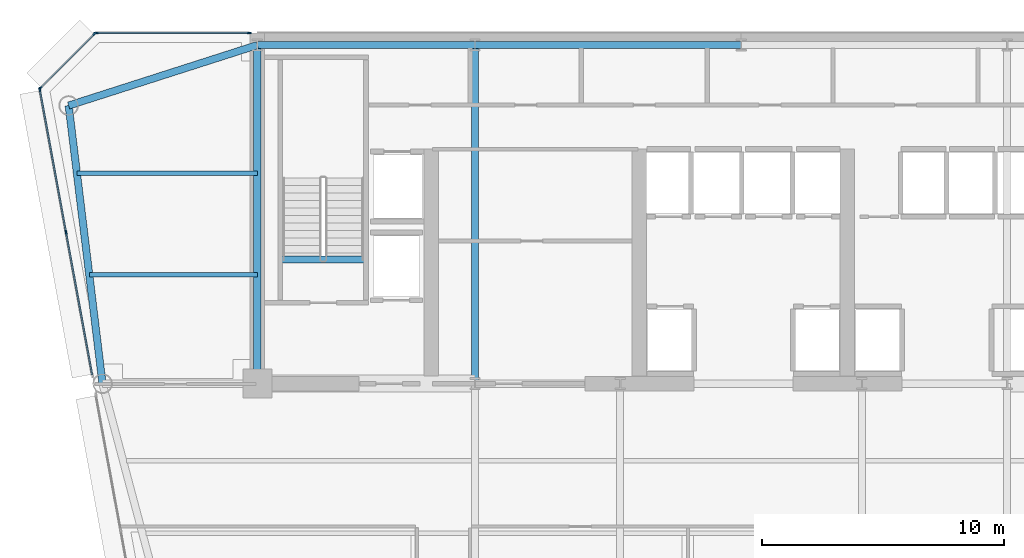
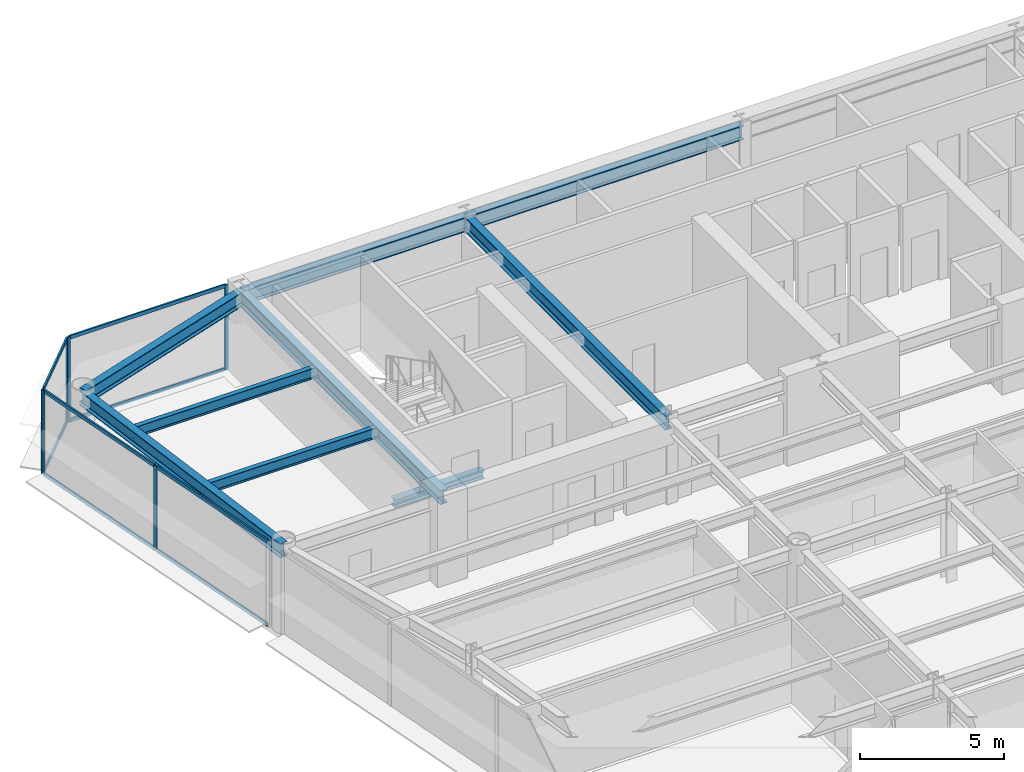
# One storey, part 7 of 16: 14 members, 9 beams, 3 elements without a shape of their own.
"""IFC4 building model written with IfcOpenShell, lengths in metres."""

from ifc_helpers import new_model, si_unit, direction, frame, origin, origin_2d, place, context, subcontext, project, spatial, rectangle, i_section, extrude, source, transform, mapped, material, layer, layer_set, material_profile, profile_set, type_object, element, aggregate, save


model = new_model("IFC4")

# Units and contexts
model_context = context("Model", 3, precision=1e-05, world=origin(), true_north=direction((0.0, 1.0)))
body_context = subcontext(model_context, "Body", "Model", "MODEL_VIEW")
ifc_project = project(units=[si_unit("LENGTHUNIT", "METRE"), si_unit("AREAUNIT", "SQUARE_METRE"), si_unit("VOLUMEUNIT", "CUBIC_METRE"), si_unit("PLANEANGLEUNIT", "RADIAN"), si_unit("MASSUNIT", "GRAM", prefix="KILO")], contexts=[model_context])

# Site, building, storey
site_placement = place(None, origin())
site = spatial("IfcSite", under=ifc_project, at=site_placement, CompositionType="ELEMENT")
building_placement = place(site_placement, origin())
building = spatial("IfcBuilding", under=site, at=building_placement, Name="Vaeldorn Concourse Tower", CompositionType="ELEMENT")
storey_placement = place(building_placement, frame((0.0, 0.0, 188.0)))
storey = spatial("IfcBuildingStorey", under=building, at=storey_placement, Name="L48", CompositionType="ELEMENT", Elevation=188.0)

# Beams
ifc_material_1 = material(Name="Steel S355", Category="steel")
ifc_material_profile_1 = material_profile(ifc_material_1, i_section(OverallWidth=0.300048828125, OverallDepth=0.340087890625, WebThickness=0.011962890625, FlangeThickness=0.021484375, FilletRadius=0.027099609375, at=origin_2d()), Name="HEB 340")
ifc_profile_set_1 = profile_set([ifc_material_profile_1], Name="Steel S355")
beam_type_1 = type_object("IfcBeamType", Name="BM-ST-TRIM", PredefinedType="BEAM", material=ifc_profile_set_1)
shared_shape_1 = source(origin(), body_context, "Body", "SweptSolid", [
    extrude(i_section(OverallWidth=0.300048828125, OverallDepth=0.340087890625, WebThickness=0.011962890625, FlangeThickness=0.021484375, FilletRadius=0.027099609375, at=origin_2d()), origin(), (0.0, 0.0, 1.0), 3.590087890625),
])
beam_1_placement = place(storey_placement, frame((14.929931640625, 41.639892578125, -0.389892578125), z_axis=(1.0, 0.0, 0.0), x_axis=(0.0, 1.0, 0.0)))
element("IfcBeam", 1, at=beam_1_placement, inside=storey, type_object=beam_type_1, Name="Stair Landing Trimmer Beam ST-1 L48", PredefinedType="BEAM", context=body_context, shape_type="MappedRepresentation", body=[
    mapped(shared_shape_1, transform((0.0, 0.0, 0.0), scale=1.0)),
])
ifc_material_profile_2 = material_profile(ifc_material_1, i_section(OverallWidth=0.18994140625, OverallDepth=0.449951171875, WebThickness=0.009521484375, FlangeThickness=0.0146484375, FilletRadius=0.02099609375, at=origin_2d()), Name="IPE 450")
ifc_profile_set_2 = profile_set([ifc_material_profile_2], Name="Steel S355")
beam_type_2 = type_object("IfcBeamType", Name="BM-JS-IPE450", PredefinedType="JOIST", material=ifc_profile_set_2)
shared_shape_2 = source(origin(), body_context, "Body", "SweptSolid", [
    extrude(i_section(OverallWidth=0.18994140625, OverallDepth=0.449951171875, WebThickness=0.009521484375, FlangeThickness=0.0146484375, FilletRadius=0.02099609375, at=origin_2d()), origin(), (0.0, 0.0, 1.0), 6.94775390625),
])
beam_2_placement = place(storey_placement, frame((7.05224609375, 41.0, 3.35498046875), z_axis=(1.0, 0.0, 0.0), x_axis=(0.0, 1.0, 0.0)))
element("IfcBeam", 2, at=beam_2_placement, inside=storey, type_object=beam_type_2, Name="Beam JS-L48-NW-410", PredefinedType="JOIST", context=body_context, shape_type="MappedRepresentation", body=[
    mapped(shared_shape_2, transform((0.0, 0.0, 0.0), scale=1.0)),
])
shared_shape_3 = source(origin(), body_context, "Body", "SweptSolid", [
    extrude(i_section(OverallWidth=0.18994140625, OverallDepth=0.449951171875, WebThickness=0.009521484375, FlangeThickness=0.0146484375, FilletRadius=0.02099609375, at=origin_2d()), origin(), (0.0, 0.0, 1.0), 7.458984375),
])
beam_3_placement = place(storey_placement, frame((6.541015625, 45.199951171875, 3.35498046875), z_axis=(1.0, 0.0, 0.0), x_axis=(0.0, 1.0, 0.0)))
element("IfcBeam", 3, at=beam_3_placement, inside=storey, type_object=beam_type_2, Name="Beam JS-L48-NW-452", PredefinedType="JOIST", context=body_context, shape_type="MappedRepresentation", body=[
    mapped(shared_shape_3, transform((0.0, 0.0, 0.0), scale=1.0)),
])
ifc_material_profile_3 = material_profile(ifc_material_1, i_section(OverallWidth=0.300048828125, OverallDepth=0.60009765625, WebThickness=0.015380859375, FlangeThickness=0.030029296875, FilletRadius=0.027099609375, at=origin_2d()), Name="HEB 600")
ifc_profile_set_3 = profile_set([ifc_material_profile_3], Name="Steel S355")
beam_type_3 = type_object("IfcBeamType", Name="BM-PG-HEB600", PredefinedType="BEAM", material=ifc_profile_set_3)
shared_shape_4 = source(origin(), body_context, "Body", "SweptSolid", [
    extrude(i_section(OverallWidth=0.300048828125, OverallDepth=0.60009765625, WebThickness=0.015380859375, FlangeThickness=0.030029296875, FilletRadius=0.027099609375, at=origin_2d()), origin(), (0.0, 0.0, 1.0), 9.0),
])
beam_4_placement = place(storey_placement, frame((14.0, 50.5, 3.280029296875), z_axis=(1.0, 0.0, 0.0), x_axis=(0.0, 1.0, 0.0)))
element("IfcBeam", 4, at=beam_4_placement, inside=storey, type_object=beam_type_3, Name="Beam BM-L48-C-HC1-C-HC2", PredefinedType="BEAM", context=body_context, shape_type="MappedRepresentation", body=[
    mapped(shared_shape_4, transform((0.0, 0.0, 0.0), scale=1.0)),
])
shared_shape_5 = source(origin(), body_context, "Body", "SweptSolid", [
    extrude(i_section(OverallWidth=0.300048828125, OverallDepth=0.60009765625, WebThickness=0.015380859375, FlangeThickness=0.030029296875, FilletRadius=0.027099609375, at=origin_2d()), origin(), (0.0, 0.0, 1.0), 11.0),
])
beam_5_placement = place(storey_placement, frame((23.0, 50.5, 3.280029296875), z_axis=(1.0, 0.0, 0.0), x_axis=(0.0, 1.0, 0.0)))
element("IfcBeam", 5, at=beam_5_placement, inside=storey, type_object=beam_type_3, Name="Beam BM-L48-C-HC2-C-HC3", PredefinedType="BEAM", context=body_context, shape_type="MappedRepresentation", body=[
    mapped(shared_shape_5, transform((0.0, 0.0, 0.0), scale=1.0)),
])
shared_shape_6 = source(origin(), body_context, "Body", "SweptSolid", [
    extrude(i_section(OverallWidth=0.300048828125, OverallDepth=0.60009765625, WebThickness=0.015380859375, FlangeThickness=0.030029296875, FilletRadius=0.027099609375, at=origin_2d()), origin(), (0.0, 0.0, 1.0), 14.0),
])
for number, where, z_axis, x_axis, name in (
    (6, (14.0, 36.5, 3.280029296875), (0.0, 1.0, 0.0), (-1.0, 0.0, 0.0), "Beam BM-L48-C-FC1-C-HC1"),
    (7, (23.0, 36.5, 3.280029296875), (0.0, 1.0, 0.0), (-1.0, 0.0, 0.0), "Beam BM-L48-C-FC2-C-HC2"),
):
    element("IfcBeam", number, at=place(storey_placement, frame(where, z_axis=z_axis, x_axis=x_axis)), inside=storey, type_object=beam_type_3, Name=name, PredefinedType="BEAM", context=body_context, shape_type="MappedRepresentation", body=[
        mapped(shared_shape_6, transform((0.0, 0.0, 0.0), scale=1.0)),
    ])
shared_shape_7 = source(origin(), body_context, "Body", "SweptSolid", [
    extrude(i_section(OverallWidth=0.300048828125, OverallDepth=0.60009765625, WebThickness=0.015380859375, FlangeThickness=0.030029296875, FilletRadius=0.027099609375, at=origin_2d()), origin(), (0.0, 0.0, 1.0), 8.19091796875),
])
beam_6_placement = place(storey_placement, frame((6.199951171875, 48.0, 3.280029296875), z_axis=(0.952282843383, 0.305216949396, 0.0), x_axis=(-0.305216949396, 0.952282843383, 0.0)))
element("IfcBeam", 8, at=beam_6_placement, inside=storey, type_object=beam_type_3, Name="Beam BM-L48-C-NW1-C-HC1", PredefinedType="BEAM", context=body_context, shape_type="MappedRepresentation", body=[
    mapped(shared_shape_7, transform((0.0, 0.0, 0.0), scale=1.0)),
])
shared_shape_8 = source(origin(), body_context, "Body", "SweptSolid", [
    extrude(i_section(OverallWidth=0.300048828125, OverallDepth=0.60009765625, WebThickness=0.015380859375, FlangeThickness=0.030029296875, FilletRadius=0.027099609375, at=origin_2d()), origin(), (0.0, 0.0, 1.0), 11.5849609375),
])
beam_7_placement = place(storey_placement, frame((6.199951171875, 48.0, 3.280029296875), z_axis=(0.120859382899, -0.992669637677, 0.0), x_axis=(0.992669637677, 0.120859382899, 0.0)))
element("IfcBeam", 9, at=beam_7_placement, inside=storey, type_object=beam_type_3, Name="Beam BM-L48-C-NW1-C-NW2", PredefinedType="BEAM", context=body_context, shape_type="MappedRepresentation", body=[
    mapped(shared_shape_8, transform((0.0, 0.0, 0.0), scale=1.0)),
])

# Curtain wall, members
ifc_material_2 = material(Name="Anodised Bronze Aluminium", Category="aluminium")
ifc_layer = layer(ifc_material_2, 0.18994140625)
ifc_layer_set = layer_set([ifc_layer], Name="Anodised Bronze Aluminium")
curtain_wall_type = type_object("IfcCurtainWallType", Name="CW-SYS-03", PredefinedType="NOTDEFINED", material=ifc_layer_set)
curtain_wall_1_placement = place(storey_placement, origin())
curtain_wall_1 = element("IfcCurtainWall", 10, at=curtain_wall_1_placement, inside=storey, type_object=curtain_wall_type, Name="Unitised Curtain Wall CW-L48-E10-1", PredefinedType="NOTDEFINED")
ifc_material_profile_4 = material_profile(ifc_material_2, rectangle(XDim=0.06494140625, YDim=0.14990234375, at=origin_2d()), Name="CWT 65x150")
ifc_profile_set_4 = profile_set([ifc_material_profile_4], Name="Anodised Bronze Aluminium")
member_type_1 = type_object("IfcMemberType", Name="CWT-BRONZE-150", PredefinedType="USERDEFINED", material=ifc_profile_set_4)
shared_shape_9 = source(origin(), body_context, "Body", "SweptSolid", [
    extrude(rectangle(XDim=0.06494140625, YDim=0.14990234375, at=origin_2d()), origin(), (0.0, 0.0, 1.0), 3.123046875),
])
member_1_placement = place(storey_placement, frame((7.254150390625, 50.9541015625, 0.032470703125), z_axis=(-0.707106781187, -0.707106781187, 0.0), x_axis=(0.707106781187, -0.707106781187, 0.0)))
member_1 = element("IfcMember", 11, at=member_1_placement, type_object=member_type_1, Name="CW-03 transom 1.1", ObjectType="TRANSOM", PredefinedType="USERDEFINED", context=body_context, shape_type="MappedRepresentation", body=[
    mapped(shared_shape_9, transform((0.0, 0.0, 0.0), scale=1.0)),
])
member_2_placement = place(storey_placement, frame((7.254150390625, 50.9541015625, 3.547607421875), z_axis=(-0.707106781187, -0.707106781187, 0.0), x_axis=(0.707106781187, -0.707106781187, 0.0)))
member_2 = element("IfcMember", 12, at=member_2_placement, type_object=member_type_1, Name="CW-03 transom 1.2", ObjectType="TRANSOM", PredefinedType="USERDEFINED", context=body_context, shape_type="MappedRepresentation", body=[
    mapped(shared_shape_9, transform((0.0, 0.0, 0.0), scale=1.0)),
])

curtain_wall_2_placement = place(storey_placement, origin())
curtain_wall_2 = element("IfcCurtainWall", 13, at=curtain_wall_2_placement, inside=storey, type_object=curtain_wall_type, Name="Unitised Curtain Wall CW-L48-E09-2", PredefinedType="NOTDEFINED")
ifc_material_profile_5 = material_profile(ifc_material_2, rectangle(XDim=0.06494140625, YDim=0.169921875, at=origin_2d()), Name="CWM 65x170")
ifc_profile_set_5 = profile_set([ifc_material_profile_5], Name="Anodised Bronze Aluminium")
member_type_2 = type_object("IfcMemberType", Name="CWM-BRONZE-170", PredefinedType="MULLION", material=ifc_profile_set_5)
shared_shape_10 = source(origin(), body_context, "Body", "SweptSolid", [
    extrude(rectangle(XDim=0.06494140625, YDim=0.169921875, at=origin_2d()), origin(), (0.0, 0.0, 1.0), 3.580078125),
])
member_3_placement = place(storey_placement, frame((13.672607421875, 51.0, 0.0), z_axis=(0.0, 0.0, 1.0), x_axis=(0.0, -1.0, 0.0)))
member_3 = element("IfcMember", 14, at=member_3_placement, type_object=member_type_2, Name="CW-03 mullion 1", PredefinedType="MULLION", context=body_context, shape_type="MappedRepresentation", body=[
    mapped(shared_shape_10, transform((0.0, 0.0, 0.0), scale=1.0)),
])
member_4_placement = place(storey_placement, frame((7.33251953125, 51.0, 0.0), z_axis=(0.0, 0.0, 1.0), x_axis=(0.0, -1.0, 0.0)))
member_4 = element("IfcMember", 15, at=member_4_placement, type_object=member_type_2, Name="CW-03 mullion 2", PredefinedType="MULLION", context=body_context, shape_type="MappedRepresentation", body=[
    mapped(shared_shape_10, transform((0.0, 0.0, 0.0), scale=1.0)),
])

# Member
member_5_placement = place(storey_placement, frame((7.277099609375, 50.97705078125, 0.0), z_axis=(0.0, 0.0, 1.0), x_axis=(0.707106781187, -0.707106781187, 0.0)))
member_5 = element("IfcMember", 16, at=member_5_placement, type_object=member_type_2, Name="CW-03 mullion 1", PredefinedType="MULLION", context=body_context, shape_type="MappedRepresentation", body=[
    mapped(shared_shape_10, transform((0.0, 0.0, 0.0), scale=1.0)),
])

member_6_placement = place(storey_placement, frame((5.02294921875, 48.722900390625, 0.0), z_axis=(0.0, 0.0, 1.0), x_axis=(0.707106781187, -0.707106781187, 0.0)))
member_6 = element("IfcMember", 17, at=member_6_placement, type_object=member_type_2, Name="CW-03 mullion 2", PredefinedType="MULLION", context=body_context, shape_type="MappedRepresentation", body=[
    mapped(shared_shape_10, transform((0.0, 0.0, 0.0), scale=1.0)),
])

aggregate(curtain_wall_1, [member_5, member_6, member_1, member_2])

# Curtain wall, members
curtain_wall_3_placement = place(storey_placement, origin())
curtain_wall_3 = element("IfcCurtainWall", 18, at=curtain_wall_3_placement, inside=storey, type_object=curtain_wall_type, Name="Unitised Curtain Wall CW-L48-E11-1", PredefinedType="NOTDEFINED")
member_7_placement = place(storey_placement, frame((5.005859375, 48.66796875, 0.0), z_axis=(0.0, 0.0, 1.0), x_axis=(0.983559459619, 0.180584576845, 0.0)))
member_7 = element("IfcMember", 19, at=member_7_placement, type_object=member_type_2, Name="CW-03 mullion 1", PredefinedType="MULLION", context=body_context, shape_type="MappedRepresentation", body=[
    mapped(shared_shape_10, transform((0.0, 0.0, 0.0), scale=1.0)),
])
member_8_placement = place(storey_placement, frame((6.091796875, 42.753662109375, 0.0), z_axis=(0.0, 0.0, 1.0), x_axis=(0.983559459619, 0.180584576845, 0.0)))
member_8 = element("IfcMember", 20, at=member_8_placement, type_object=member_type_2, Name="CW-03 mullion 2", PredefinedType="MULLION", context=body_context, shape_type="MappedRepresentation", body=[
    mapped(shared_shape_10, transform((0.0, 0.0, 0.0), scale=1.0)),
])

# Member
shared_shape_11 = source(origin(), body_context, "Body", "SweptSolid", [
    extrude(rectangle(XDim=0.06494140625, YDim=0.14990234375, at=origin_2d()), origin(), (0.0, 0.0, 1.0), 6.27490234375),
])
member_9_placement = place(storey_placement, frame((13.639892578125, 51.0, 0.032470703125), z_axis=(-1.0, 0.0, 0.0), x_axis=(0.0, -1.0, 0.0)))
member_9 = element("IfcMember", 21, at=member_9_placement, type_object=member_type_1, Name="CW-03 transom 1.1", ObjectType="TRANSOM", PredefinedType="USERDEFINED", context=body_context, shape_type="MappedRepresentation", body=[
    mapped(shared_shape_11, transform((0.0, 0.0, 0.0), scale=1.0)),
])

member_10_placement = place(storey_placement, frame((13.639892578125, 51.0, 3.547607421875), z_axis=(-1.0, 0.0, 0.0), x_axis=(0.0, -1.0, 0.0)))
member_10 = element("IfcMember", 22, at=member_10_placement, type_object=member_type_1, Name="CW-03 transom 1.2", ObjectType="TRANSOM", PredefinedType="USERDEFINED", context=body_context, shape_type="MappedRepresentation", body=[
    mapped(shared_shape_11, transform((0.0, 0.0, 0.0), scale=1.0)),
])

aggregate(curtain_wall_2, [member_3, member_4, member_9, member_10])

shared_shape_12 = source(origin(), body_context, "Body", "SweptSolid", [
    extrude(rectangle(XDim=0.06494140625, YDim=0.14990234375, at=origin_2d()), origin(), (0.0, 0.0, 1.0), 5.9482421875),
])
member_11_placement = place(storey_placement, frame((5.01171875, 48.635986328125, 0.032470703125), z_axis=(0.180597229094, -0.983557136542, 0.0), x_axis=(0.983557136542, 0.180597229094, 0.0)))
member_11 = element("IfcMember", 23, at=member_11_placement, type_object=member_type_1, Name="CW-03 transom 1.1", ObjectType="TRANSOM", PredefinedType="USERDEFINED", context=body_context, shape_type="MappedRepresentation", body=[
    mapped(shared_shape_12, transform((0.0, 0.0, 0.0), scale=1.0)),
])

member_12_placement = place(storey_placement, frame((5.01171875, 48.635986328125, 3.547607421875), z_axis=(0.180597229094, -0.983557136542, 0.0), x_axis=(0.983557136542, 0.180597229094, 0.0)))
member_12 = element("IfcMember", 24, at=member_12_placement, type_object=member_type_1, Name="CW-03 transom 1.2", ObjectType="TRANSOM", PredefinedType="USERDEFINED", context=body_context, shape_type="MappedRepresentation", body=[
    mapped(shared_shape_12, transform((0.0, 0.0, 0.0), scale=1.0)),
])

member_13_placement = place(storey_placement, frame((6.09765625, 42.7216796875, 0.032470703125), z_axis=(0.180597229094, -0.983557136542, 0.0), x_axis=(0.983557136542, 0.180597229094, 0.0)))
member_13 = element("IfcMember", 25, at=member_13_placement, type_object=member_type_1, Name="CW-03 transom 2.1", ObjectType="TRANSOM", PredefinedType="USERDEFINED", context=body_context, shape_type="MappedRepresentation", body=[
    mapped(shared_shape_12, transform((0.0, 0.0, 0.0), scale=1.0)),
])

member_14_placement = place(storey_placement, frame((6.09765625, 42.7216796875, 3.547607421875), z_axis=(0.180597229094, -0.983557136542, 0.0), x_axis=(0.983557136542, 0.180597229094, 0.0)))
member_14 = element("IfcMember", 26, at=member_14_placement, type_object=member_type_1, Name="CW-03 transom 2.2", ObjectType="TRANSOM", PredefinedType="USERDEFINED", context=body_context, shape_type="MappedRepresentation", body=[
    mapped(shared_shape_12, transform((0.0, 0.0, 0.0), scale=1.0)),
])

aggregate(curtain_wall_3, [member_7, member_8, member_11, member_12, member_13, member_14])

save(model, "model.ifc")
